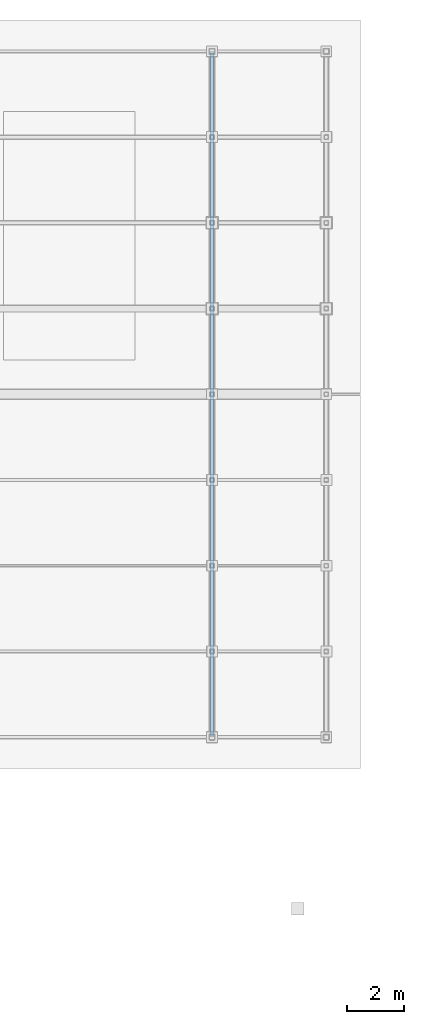
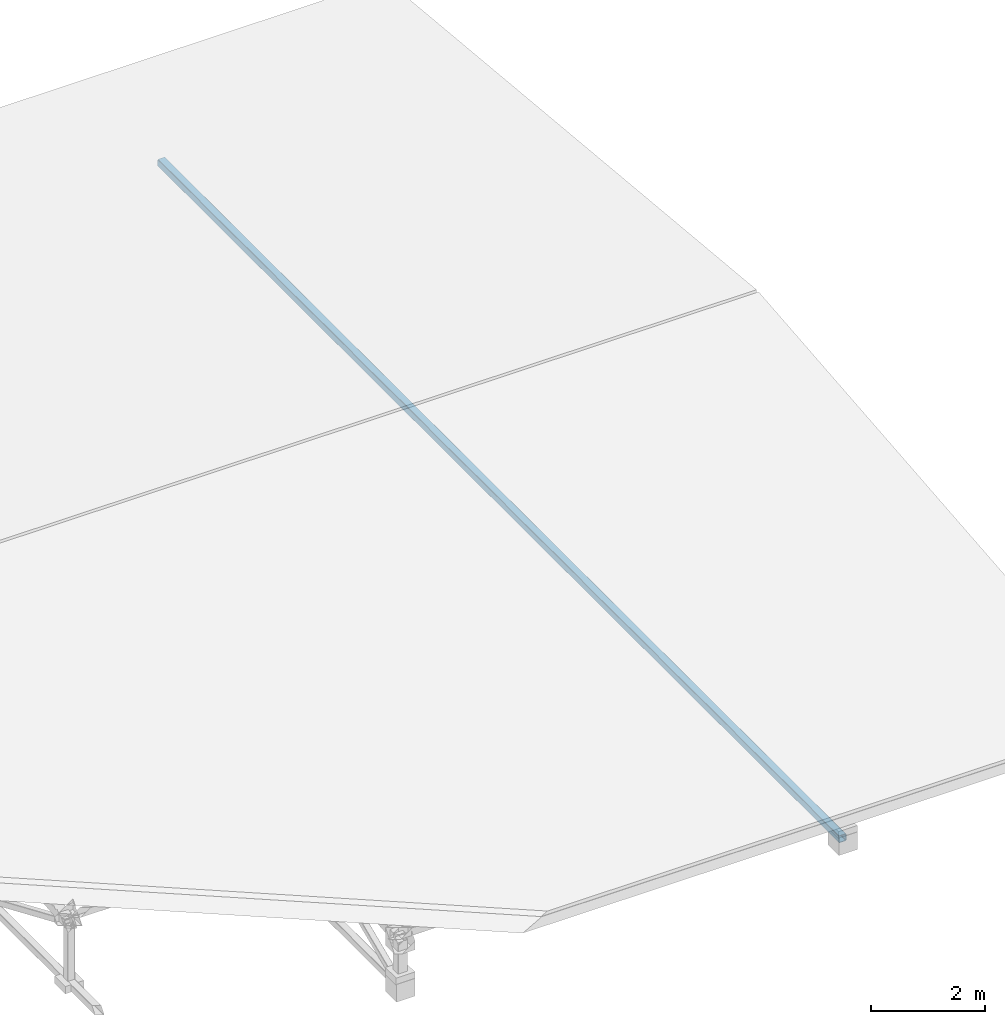
# One storey, part 13 of 25: 1 beam.
"""IFC4 building model written with IfcOpenShell, lengths in metres."""

from ifc_helpers import new_model, si_unit, direction, frame, origin, origin_2d, place, context, subcontext, project, spatial, hollow_rectangle, extrude, material, material_profile, profile_set, type_object, element, save


model = new_model("IFC4")

# Units and contexts
model_context = context("Model", 3, precision=1e-05, world=origin(), true_north=direction((0.0, 1.0)))
body_context = subcontext(model_context, "Body", "Model", "MODEL_VIEW")
ifc_project = project(units=[si_unit("LENGTHUNIT", "METRE"), si_unit("AREAUNIT", "SQUARE_METRE"), si_unit("VOLUMEUNIT", "CUBIC_METRE"), si_unit("PLANEANGLEUNIT", "RADIAN"), si_unit("MASSUNIT", "GRAM", prefix="KILO"), si_unit("THERMODYNAMICTEMPERATUREUNIT", "KELVIN"), si_unit("POWERUNIT", "WATT")], contexts=[model_context])

# Site, building, storey
site_placement = place(None, origin())
site = spatial("IfcSite", under=ifc_project, at=site_placement, CompositionType="ELEMENT")
building_placement = place(site_placement, origin())
building = spatial("IfcBuilding", under=site, at=building_placement, Name="Zelmaris Science Centre", CompositionType="ELEMENT")
storey_placement = place(building_placement, frame((0.0, 0.0, 30.0)))
storey = spatial("IfcBuildingStorey", under=building, at=storey_placement, Name="RF", CompositionType="ELEMENT", Elevation=30.0)

# Beam
ifc_material = material(Name="Steel ASTM A500 Grade C", Category="steel")
ifc_material_profile = material_profile(ifc_material, hollow_rectangle(XDim=0.15234375, YDim=0.15234375, WallThickness=0.0087890625, InnerFilletRadius=0.0087890625, OuterFilletRadius=0.017822265625, at=origin_2d()), Name="HSS152X152X10")
ifc_profile_set = profile_set([ifc_material_profile], Name="Steel ASTM A500 Grade C")
beam_type = type_object("IfcBeamType", Name="Beam G-21 HSS152X152X10", PredefinedType="BEAM", material=ifc_profile_set)
beam_placement = place(storey_placement, frame((72.0, 64.0, 0.347412109375), z_axis=(0.0, 1.0, 0.0), x_axis=(-1.0, 0.0, 0.0)))
element("IfcBeam", 1, at=beam_placement, inside=storey, type_object=beam_type, Name="RF-V5 Roof truss 3 bottom chord", PredefinedType="BEAM", context=body_context, shape_type="SweptSolid", body=[
    extrude(hollow_rectangle(XDim=0.15234375, YDim=0.15234375, WallThickness=0.0087890625, InnerFilletRadius=0.0087890625, OuterFilletRadius=0.017822265625, at=origin_2d()), origin(), (0.0, 0.0, 1.0), 24.0),
])

save(model, "model.ifc")
